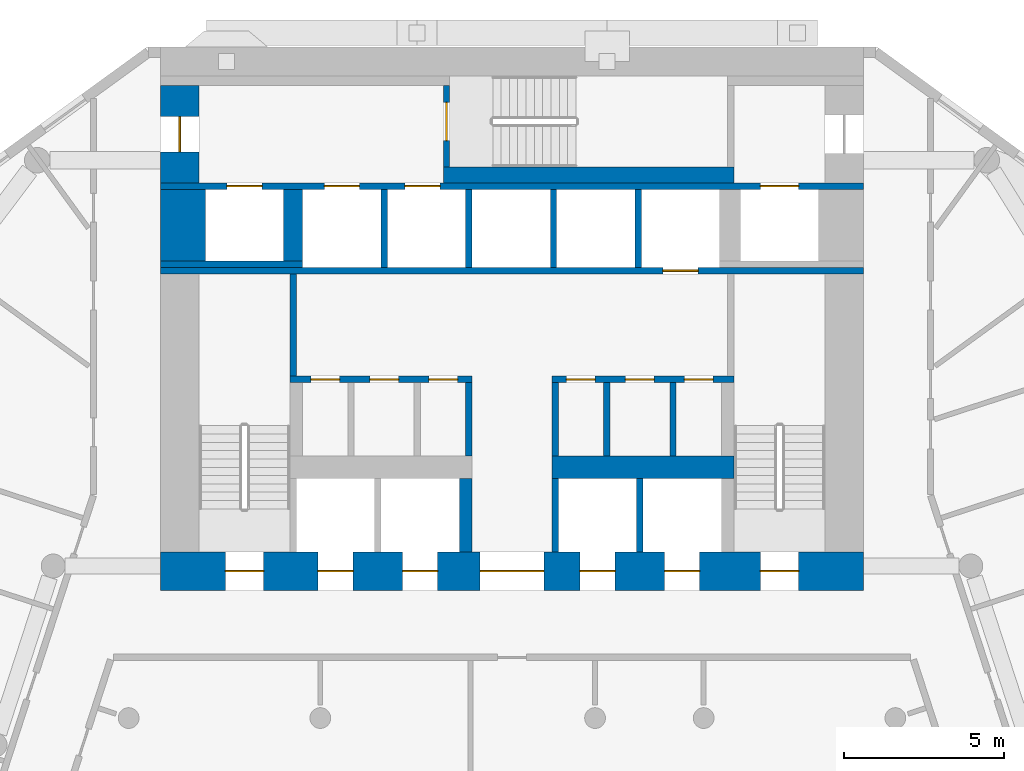
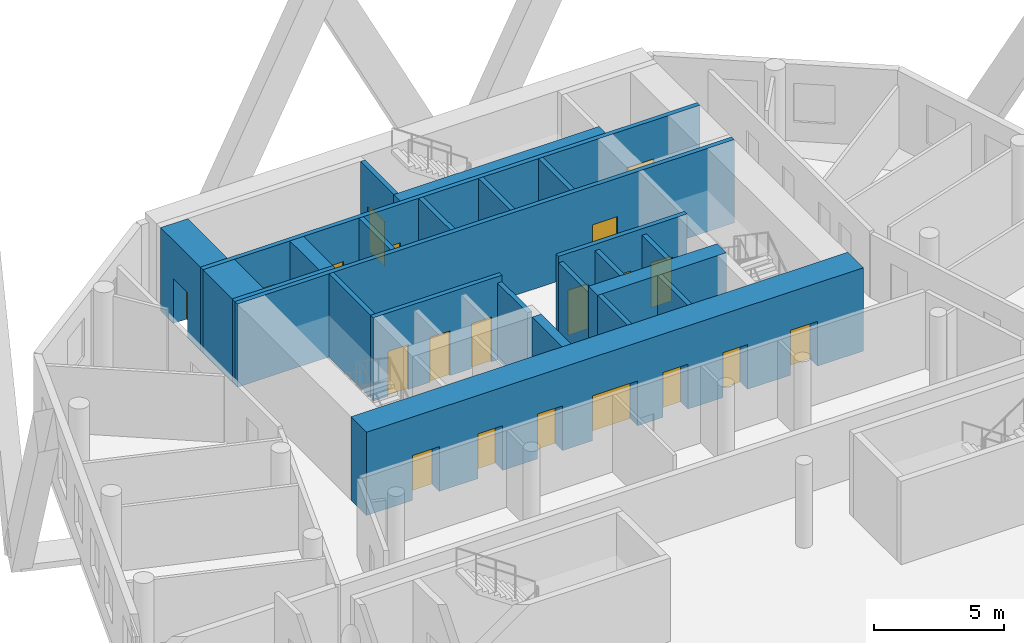
# One storey, part 6 of 10: 24 walls, 20 doors, 20 openings.
"""IFC4 building model written with IfcOpenShell, lengths in metres."""

from ifc_helpers import new_model, si_unit, direction, frame, frame_2d, origin, place, context, subcontext, project, spatial, rectangle, extrude, material, layer, layer_set, type_object, element, fill, save


model = new_model("IFC4")

# Units and contexts
model_context = context("Model", 3, precision=1e-05, world=origin(), true_north=direction((0.0, 1.0)))
body_context = subcontext(model_context, "Body", "Model", "MODEL_VIEW")
ifc_project = project(units=[si_unit("LENGTHUNIT", "METRE"), si_unit("AREAUNIT", "SQUARE_METRE"), si_unit("VOLUMEUNIT", "CUBIC_METRE"), si_unit("PLANEANGLEUNIT", "RADIAN"), si_unit("MASSUNIT", "GRAM", prefix="KILO")], contexts=[model_context])

# Site, building, storey
site_placement = place(None, origin())
site = spatial("IfcSite", under=ifc_project, at=site_placement, CompositionType="ELEMENT")
building_placement = place(site_placement, origin())
building = spatial("IfcBuilding", under=site, at=building_placement, Name="White Candle Pilgrim Tower", CompositionType="ELEMENT")
storey_placement = place(building_placement, frame((0.0, 0.0, 54.60009765625)))
storey = spatial("IfcBuildingStorey", under=building, at=storey_placement, Name="L10", CompositionType="ELEMENT", Elevation=54.60009765625)

# Wall, opening, door
ifc_material_1 = material(Name="Concrete C70/85", Category="concrete")
ifc_layer_1 = layer(ifc_material_1, 1.199951171875)
ifc_layer_set_1 = layer_set([ifc_layer_1], Name="Core wall 1200 mm Concrete C70/85")
wall_type_1 = type_object("IfcWallType", Name="Core wall 1200 mm Concrete C70/85", PredefinedType="SHEAR", material=ifc_layer_set_1)
wall_1_placement = place(storey_placement, frame((59.60009765625, 83.75, 0.0), z_axis=(0.0, 0.0, 1.0), x_axis=(0.0, 1.0, 0.0)))
wall_1 = element("IfcWall", 1, at=wall_1_placement, inside=storey, type_object=wall_type_1, Name="WL-L10-C46", PredefinedType="SHEAR", context=body_context, shape_type="SweptSolid", body=[
    extrude(rectangle(XDim=3.050048828125, YDim=1.199951171875, at=frame_2d((1.52490234375, 0.0))), origin(), (0.0, 0.0, 1.0), 3.89990234375),
])
opening_1_placement = place(wall_1_placement, frame((0.97509765625, 0.0, 0.0)))
opening_1 = element("IfcOpeningElement", 2, at=opening_1_placement, cuts=wall_1, Name="Opening T03-005", PredefinedType="OPENING", context=body_context, shape_type="SweptSolid", body=[
    extrude(rectangle(XDim=1.10009765625, YDim=2.10009765625, at=frame_2d((0.550048828125, 1.050048828125))), frame((0.0, 0.60986328125, 0.0), z_axis=(0.0, -1.0, 0.0), x_axis=(1.0, 0.0, 0.0)), (0.0, 0.0, 1.0), 1.219970703125),
])
ifc_material_2 = material(Name="Steel door leaf", Category="steel")
door_type_1 = type_object("IfcDoorType", Name="Fire door 1100 x 2100 EI 60", OperationType="NOTDEFINED", PredefinedType="DOOR", material=ifc_material_2)
door_1_placement = place(opening_1_placement, origin())
door_1 = element("IfcDoor", 3, at=door_1_placement, inside=storey, type_object=door_type_1, Name="Door T03-005", OperationType="SINGLE_SWING_LEFT", OverallHeight=2.10009765625, OverallWidth=1.10009765625, PredefinedType="DOOR", context=body_context, shape_type="SweptSolid", body=[
    extrude(rectangle(XDim=1.10009765625, YDim=2.10009765625, at=frame_2d((0.550048828125, 1.050048828125))), frame((0.0, 0.02490234375, 0.0), z_axis=(0.0, -1.0, 0.0), x_axis=(1.0, 0.0, 0.0)), (0.0, 0.0, 1.0), 0.050048828125),
])
fill(opening_1, door_1)

# Walls
ifc_layer_2 = layer(ifc_material_1, 1.39990234375)
ifc_layer_set_2 = layer_set([ifc_layer_2], Name="Core wall 1400 mm Concrete C70/85")
wall_type_2 = type_object("IfcWallType", Name="Core wall 1400 mm Concrete C70/85", PredefinedType="SHEAR", material=ifc_layer_set_2)
wall_2_placement = place(storey_placement, frame((59.699951171875, 81.300048828125, 0.0), z_axis=(0.0, 0.0, 1.0), x_axis=(0.0, 1.0, 0.0)))
element("IfcWall", 4, at=wall_2_placement, inside=storey, type_object=wall_type_2, Name="WL-L10-C41", PredefinedType="SHEAR", context=body_context, shape_type="SweptSolid", body=[
    extrude(rectangle(XDim=2.25, YDim=1.39990234375, at=frame_2d((1.125, 0.0))), origin(), (0.0, 0.0, 1.0), 3.89990234375),
])
ifc_layer_3 = layer(ifc_material_1, 0.199951171875)
ifc_layer_set_3 = layer_set([ifc_layer_3], Name="Core wall 200 mm Concrete C70/85")
wall_type_3 = type_object("IfcWallType", Name="Core wall 200 mm Concrete C70/85", PredefinedType="SHEAR", material=ifc_layer_set_3)
wall_3_placement = place(storey_placement, frame((59.0, 81.199951171875, 0.0), z_axis=(0.0, 0.0, 1.0), x_axis=(1.0, 0.0, 0.0)))
element("IfcWall", 5, at=wall_3_placement, inside=storey, type_object=wall_type_3, Name="WL-L10-C35", PredefinedType="SHEAR", context=body_context, shape_type="SweptSolid", body=[
    extrude(rectangle(XDim=4.449951171875, YDim=0.199951171875, at=frame_2d((2.22509765625, 0.0))), origin(), (0.0, 0.0, 1.0), 3.89990234375),
])

# Wall, openings, doors
wall_4_placement = place(storey_placement, frame((59.0, 83.64990234375, 0.0), z_axis=(0.0, 0.0, 1.0), x_axis=(1.0, 0.0, 0.0)))
wall_4 = element("IfcWall", 6, at=wall_4_placement, inside=storey, type_object=wall_type_3, Name="WL-L10-C45", PredefinedType="SHEAR", context=body_context, shape_type="SweptSolid", body=[
    extrude(rectangle(XDim=22.0, YDim=0.199951171875, at=frame_2d((11.0, 0.0))), origin(), (0.0, 0.0, 1.0), 3.89990234375),
])
opening_2_placement = place(wall_4_placement, frame((5.125, 0.0, 0.0)))
opening_2 = element("IfcOpeningElement", 7, at=opening_2_placement, cuts=wall_4, Name="Opening T03-011", PredefinedType="OPENING", context=body_context, shape_type="SweptSolid", body=[
    extrude(rectangle(XDim=1.10009765625, YDim=2.10009765625, at=frame_2d((0.550048828125, 1.050048828125))), frame((0.0, 0.10986328125, 0.0), z_axis=(0.0, -1.0, 0.0), x_axis=(1.0, 0.0, 0.0)), (0.0, 0.0, 1.0), 0.219970703125),
])
opening_3_placement = place(wall_4_placement, frame((7.64990234375, 0.0, 0.0)))
opening_3 = element("IfcOpeningElement", 8, at=opening_3_placement, cuts=wall_4, Name="Opening T03-012", PredefinedType="OPENING", context=body_context, shape_type="SweptSolid", body=[
    extrude(rectangle(XDim=1.10009765625, YDim=2.10009765625, at=frame_2d((0.550048828125, 1.050048828125))), frame((0.0, 0.10986328125, 0.0), z_axis=(0.0, -1.0, 0.0), x_axis=(1.0, 0.0, 0.0)), (0.0, 0.0, 1.0), 0.219970703125),
])
opening_4_placement = place(wall_4_placement, frame((18.77490234375, 0.0, 0.0)))
opening_4 = element("IfcOpeningElement", 9, at=opening_4_placement, cuts=wall_4, Name="Opening T03-018", PredefinedType="OPENING", context=body_context, shape_type="SweptSolid", body=[
    extrude(rectangle(XDim=1.199951171875, YDim=2.10009765625, at=frame_2d((0.60009765625, 1.050048828125))), frame((0.0, 0.10986328125, 0.0), z_axis=(0.0, -1.0, 0.0), x_axis=(1.0, 0.0, 0.0)), (0.0, 0.0, 1.0), 0.219970703125),
])
opening_5_placement = place(wall_4_placement, frame((2.074951171875, 0.0, 0.0)))
opening_5 = element("IfcOpeningElement", 10, at=opening_5_placement, cuts=wall_4, Name="Opening T03-019", PredefinedType="OPENING", context=body_context, shape_type="SweptSolid", body=[
    extrude(rectangle(XDim=1.10009765625, YDim=2.10009765625, at=frame_2d((0.550048828125, 1.050048828125))), frame((0.0, 0.10986328125, 0.0), z_axis=(0.0, -1.0, 0.0), x_axis=(1.0, 0.0, 0.0)), (0.0, 0.0, 1.0), 0.219970703125),
])
ifc_material_3 = material(Name="Stainless steel", Category="steel")
door_type_2 = type_object("IfcDoorType", Name="Lift landing door 1100 x 2100 EI 60", OperationType="DOUBLE_DOOR_SLIDING", PredefinedType="DOOR", material=ifc_material_3)
door_2_placement = place(opening_2_placement, origin())
door_2 = element("IfcDoor", 11, at=door_2_placement, inside=storey, type_object=door_type_2, Name="Door T03-011", OperationType="DOUBLE_DOOR_SLIDING", OverallHeight=2.10009765625, OverallWidth=1.10009765625, PredefinedType="DOOR", context=body_context, shape_type="SweptSolid", body=[
    extrude(rectangle(XDim=1.10009765625, YDim=2.10009765625, at=frame_2d((0.550048828125, 1.050048828125))), frame((0.0, 0.02490234375, 0.0), z_axis=(0.0, -1.0, 0.0), x_axis=(1.0, 0.0, 0.0)), (0.0, 0.0, 1.0), 0.050048828125),
])
fill(opening_2, door_2)
door_3_placement = place(opening_3_placement, origin())
door_3 = element("IfcDoor", 12, at=door_3_placement, inside=storey, type_object=door_type_2, Name="Door T03-012", OperationType="DOUBLE_DOOR_SLIDING", OverallHeight=2.10009765625, OverallWidth=1.10009765625, PredefinedType="DOOR", context=body_context, shape_type="SweptSolid", body=[
    extrude(rectangle(XDim=1.10009765625, YDim=2.10009765625, at=frame_2d((0.550048828125, 1.050048828125))), frame((0.0, 0.02490234375, 0.0), z_axis=(0.0, -1.0, 0.0), x_axis=(1.0, 0.0, 0.0)), (0.0, 0.0, 1.0), 0.050048828125),
])
fill(opening_3, door_3)
door_4_placement = place(opening_5_placement, origin())
door_4 = element("IfcDoor", 13, at=door_4_placement, inside=storey, type_object=door_type_2, Name="Door T03-019", OperationType="DOUBLE_DOOR_SLIDING", OverallHeight=2.10009765625, OverallWidth=1.10009765625, PredefinedType="DOOR", context=body_context, shape_type="SweptSolid", body=[
    extrude(rectangle(XDim=1.10009765625, YDim=2.10009765625, at=frame_2d((0.550048828125, 1.050048828125))), frame((0.0, 0.02490234375, 0.0), z_axis=(0.0, -1.0, 0.0), x_axis=(1.0, 0.0, 0.0)), (0.0, 0.0, 1.0), 0.050048828125),
])
fill(opening_5, door_4)
door_type_3 = type_object("IfcDoorType", Name="Lift landing door 1200 x 2100 E 60", OperationType="DOUBLE_DOOR_SLIDING", PredefinedType="DOOR", material=ifc_material_3)
door_5_placement = place(opening_4_placement, origin())
door_5 = element("IfcDoor", 14, at=door_5_placement, inside=storey, type_object=door_type_3, Name="Door T03-018", OperationType="DOUBLE_DOOR_SLIDING", OverallHeight=2.10009765625, OverallWidth=1.199951171875, PredefinedType="DOOR", context=body_context, shape_type="SweptSolid", body=[
    extrude(rectangle(XDim=1.199951171875, YDim=2.10009765625, at=frame_2d((0.60009765625, 1.050048828125))), frame((0.0, 0.02490234375, 0.0), z_axis=(0.0, -1.0, 0.0), x_axis=(1.0, 0.0, 0.0)), (0.0, 0.0, 1.0), 0.050048828125),
])
fill(opening_4, door_5)

# Walls
ifc_material_4 = material(Name="Gypsum board on steel studs", Category="steel")
ifc_layer_4 = layer(ifc_material_4, 0.199951171875)
ifc_layer_set_4 = layer_set([ifc_layer_4], Name="Lobby wall 200 mm EI 60")
wall_type_4 = type_object("IfcWallType", Name="Lobby wall 200 mm EI 60", PredefinedType="PARTITIONING", material=ifc_layer_set_4)
for number, where, z_axis, x_axis, name in (
    (15, (68.64990234375, 75.199951171875, 0.0), (0.0, 0.0, 1.0), (0.0, 1.0, 0.0), "WL-L10-C25"),
    (16, (71.35009765625, 75.199951171875, 0.0), (0.0, 0.0, 1.0), (0.0, 1.0, 0.0), "WL-L10-C26"),
    (17, (72.9599609375, 75.199951171875, 0.0), (0.0, 0.0, 1.0), (0.0, 1.0, 0.0), "WL-L10-C27"),
    (18, (75.0400390625, 75.199951171875, 0.0), (0.0, 0.0, 1.0), (0.0, 1.0, 0.0), "WL-L10-C28"),
):
    element("IfcWall", number, at=place(storey_placement, frame(where, z_axis=z_axis, x_axis=x_axis)), inside=storey, type_object=wall_type_4, Name=name, PredefinedType="PARTITIONING", context=body_context, shape_type="SweptSolid", body=[
        extrude(rectangle(XDim=2.300048828125, YDim=0.199951171875, at=frame_2d((1.14990234375, 0.0))), origin(), (0.0, 0.0, 1.0), 3.599853515625),
    ])
ifc_layer_5 = layer(ifc_material_1, 0.199951171875)
ifc_layer_set_5 = layer_set([ifc_layer_5], Name="Shaft wall 200 mm Concrete C70/85")
wall_type_5 = type_object("IfcWallType", Name="Shaft wall 200 mm Concrete C70/85", PredefinedType="SHEAR", material=ifc_layer_set_5)
for number, where, z_axis, x_axis, name in (
    (19, (71.35009765625, 72.199951171875, 0.0), (0.0, 0.0, 1.0), (0.0, 1.0, 0.0), "WL-L10-C16"),
    (20, (74.0, 72.199951171875, 0.0), (0.0, 0.0, 1.0), (0.0, 1.0, 0.0), "WL-L10-C17"),
):
    element("IfcWall", number, at=place(storey_placement, frame(where, z_axis=z_axis, x_axis=x_axis)), inside=storey, type_object=wall_type_5, Name=name, PredefinedType="SHEAR", context=body_context, shape_type="SweptSolid", body=[
        extrude(rectangle(XDim=2.300048828125, YDim=0.199951171875, at=frame_2d((1.14990234375, 0.0))), origin(), (0.0, 0.0, 1.0), 3.89990234375),
    ])
for number, where, z_axis, x_axis, name in (
    (21, (66.0, 81.10009765625, 0.0), (0.0, 0.0, 1.0), (0.0, 1.0, 0.0), "WL-L10-C36"),
    (22, (68.64990234375, 81.10009765625, 0.0), (0.0, 0.0, 1.0), (0.0, 1.0, 0.0), "WL-L10-C37"),
    (23, (71.300048828125, 81.10009765625, 0.0), (0.0, 0.0, 1.0), (0.0, 1.0, 0.0), "WL-L10-C38"),
    (24, (73.949951171875, 81.10009765625, 0.0), (0.0, 0.0, 1.0), (0.0, 1.0, 0.0), "WL-L10-C39"),
):
    element("IfcWall", number, at=place(storey_placement, frame(where, z_axis=z_axis, x_axis=x_axis)), inside=storey, type_object=wall_type_5, Name=name, PredefinedType="SHEAR", context=body_context, shape_type="SweptSolid", body=[
        extrude(rectangle(XDim=2.449951171875, YDim=0.199951171875, at=frame_2d((1.22509765625, 0.0))), origin(), (0.0, 0.0, 1.0), 3.89990234375),
    ])
ifc_layer_6 = layer(ifc_material_1, 0.39990234375)
ifc_layer_set_6 = layer_set([ifc_layer_6], Name="Shaft wall 400 mm Concrete C70/85")
wall_type_6 = type_object("IfcWallType", Name="Shaft wall 400 mm Concrete C70/85", PredefinedType="SHEAR", material=ifc_layer_set_6)
wall_5_placement = place(storey_placement, frame((68.550048828125, 72.199951171875, 0.0), z_axis=(0.0, 0.0, 1.0), x_axis=(0.0, 1.0, 0.0)))
element("IfcWall", 25, at=wall_5_placement, inside=storey, type_object=wall_type_6, Name="WL-L10-C15", PredefinedType="SHEAR", context=body_context, shape_type="SweptSolid", body=[
    extrude(rectangle(XDim=2.300048828125, YDim=0.39990234375, at=frame_2d((1.14990234375, 0.0))), origin(), (0.0, 0.0, 1.0), 3.89990234375),
])
ifc_layer_7 = layer(ifc_material_1, 0.60009765625)
ifc_layer_set_7 = layer_set([ifc_layer_7], Name="Shaft wall 600 mm Concrete C70/85")
wall_type_7 = type_object("IfcWallType", Name="Shaft wall 600 mm Concrete C70/85", PredefinedType="SHEAR", material=ifc_layer_set_7)
wall_6_placement = place(storey_placement, frame((63.14990234375, 81.300048828125, 0.0), z_axis=(0.0, 0.0, 1.0), x_axis=(0.0, 1.0, 0.0)))
element("IfcWall", 26, at=wall_6_placement, inside=storey, type_object=wall_type_7, Name="WL-L10-C42", PredefinedType="SHEAR", context=body_context, shape_type="SweptSolid", body=[
    extrude(rectangle(XDim=2.25, YDim=0.60009765625, at=frame_2d((1.125, 0.0))), origin(), (0.0, 0.0, 1.0), 3.89990234375),
])

# Wall, openings, doors
ifc_layer_8 = layer(ifc_material_1, 1.199951171875)
ifc_layer_set_8 = layer_set([ifc_layer_8], Name="Stair shaft wall 1200 mm Concrete C70/85")
wall_type_8 = type_object("IfcWallType", Name="Stair shaft wall 1200 mm Concrete C70/85", PredefinedType="SHEAR", material=ifc_layer_set_8)
wall_7_placement = place(storey_placement, frame((59.0, 71.60009765625, 0.0), z_axis=(0.0, 0.0, 1.0), x_axis=(1.0, 0.0, 0.0)))
wall_7 = element("IfcWall", 27, at=wall_7_placement, inside=storey, type_object=wall_type_8, Name="WL-L10-C11", PredefinedType="SHEAR", context=body_context, shape_type="SweptSolid", body=[
    extrude(rectangle(XDim=22.0, YDim=1.199951171875, at=frame_2d((11.0, 0.0))), origin(), (0.0, 0.0, 1.0), 3.89990234375),
])
opening_6_placement = place(wall_7_placement, frame((2.02490234375, 0.0, 0.0)))
opening_6 = element("IfcOpeningElement", 28, at=opening_6_placement, cuts=wall_7, Name="Opening T03-001", PredefinedType="OPENING", context=body_context, shape_type="SweptSolid", body=[
    extrude(rectangle(XDim=1.199951171875, YDim=2.10009765625, at=frame_2d((0.60009765625, 1.050048828125))), frame((0.0, 0.60986328125, 0.0), z_axis=(0.0, -1.0, 0.0), x_axis=(1.0, 0.0, 0.0)), (0.0, 0.0, 1.0), 1.219970703125),
])
opening_7_placement = place(wall_7_placement, frame((18.77490234375, 0.0, 0.0)))
opening_7 = element("IfcOpeningElement", 29, at=opening_7_placement, cuts=wall_7, Name="Opening T03-002", PredefinedType="OPENING", context=body_context, shape_type="SweptSolid", body=[
    extrude(rectangle(XDim=1.199951171875, YDim=2.10009765625, at=frame_2d((0.60009765625, 1.050048828125))), frame((0.0, 0.60986328125, 0.0), z_axis=(0.0, -1.0, 0.0), x_axis=(1.0, 0.0, 0.0)), (0.0, 0.0, 1.0), 1.219970703125),
])
opening_8_placement = place(wall_7_placement, frame((10.0, 0.0, 0.0)))
opening_8 = element("IfcOpeningElement", 30, at=opening_8_placement, cuts=wall_7, Name="Opening T03-004", PredefinedType="OPENING", context=body_context, shape_type="SweptSolid", body=[
    extrude(rectangle(XDim=2.0, YDim=2.10009765625, at=frame_2d((1.0, 1.050048828125))), frame((0.0, 0.60986328125, 0.0), z_axis=(0.0, -1.0, 0.0), x_axis=(1.0, 0.0, 0.0)), (0.0, 0.0, 1.0), 1.219970703125),
])
opening_9_placement = place(wall_7_placement, frame((4.925048828125, 0.0, 0.0)))
opening_9 = element("IfcOpeningElement", 31, at=opening_9_placement, cuts=wall_7, Name="Opening T03-014", PredefinedType="OPENING", context=body_context, shape_type="SweptSolid", body=[
    extrude(rectangle(XDim=1.10009765625, YDim=2.10009765625, at=frame_2d((0.550048828125, 1.050048828125))), frame((0.0, 0.60986328125, 0.0), z_axis=(0.0, -1.0, 0.0), x_axis=(1.0, 0.0, 0.0)), (0.0, 0.0, 1.0), 1.219970703125),
])
opening_10_placement = place(wall_7_placement, frame((7.574951171875, 0.0, 0.0)))
opening_10 = element("IfcOpeningElement", 32, at=opening_10_placement, cuts=wall_7, Name="Opening T03-015", PredefinedType="OPENING", context=body_context, shape_type="SweptSolid", body=[
    extrude(rectangle(XDim=1.10009765625, YDim=2.10009765625, at=frame_2d((0.550048828125, 1.050048828125))), frame((0.0, 0.60986328125, 0.0), z_axis=(0.0, -1.0, 0.0), x_axis=(1.0, 0.0, 0.0)), (0.0, 0.0, 1.0), 1.219970703125),
])
opening_11_placement = place(wall_7_placement, frame((13.125, 0.0, 0.0)))
opening_11 = element("IfcOpeningElement", 33, at=opening_11_placement, cuts=wall_7, Name="Opening T03-016", PredefinedType="OPENING", context=body_context, shape_type="SweptSolid", body=[
    extrude(rectangle(XDim=1.10009765625, YDim=2.10009765625, at=frame_2d((0.550048828125, 1.050048828125))), frame((0.0, 0.60986328125, 0.0), z_axis=(0.0, -1.0, 0.0), x_axis=(1.0, 0.0, 0.0)), (0.0, 0.0, 1.0), 1.219970703125),
])
opening_12_placement = place(wall_7_placement, frame((15.77490234375, 0.0, 0.0)))
opening_12 = element("IfcOpeningElement", 34, at=opening_12_placement, cuts=wall_7, Name="Opening T03-017", PredefinedType="OPENING", context=body_context, shape_type="SweptSolid", body=[
    extrude(rectangle(XDim=1.10009765625, YDim=2.10009765625, at=frame_2d((0.550048828125, 1.050048828125))), frame((0.0, 0.60986328125, 0.0), z_axis=(0.0, -1.0, 0.0), x_axis=(1.0, 0.0, 0.0)), (0.0, 0.0, 1.0), 1.219970703125),
])
door_type_4 = type_object("IfcDoorType", Name="Fire door 1200 x 2100 EI 60", OperationType="NOTDEFINED", PredefinedType="DOOR", material=ifc_material_2)
door_6_placement = place(opening_6_placement, frame((1.199951171875, 0.0, 0.0), z_axis=(0.0, 0.0, 1.0), x_axis=(-1.0, 0.0, 0.0)))
door_6 = element("IfcDoor", 35, at=door_6_placement, inside=storey, type_object=door_type_4, Name="Door T03-001", OperationType="SINGLE_SWING_RIGHT", OverallHeight=2.10009765625, OverallWidth=1.199951171875, PredefinedType="DOOR", context=body_context, shape_type="SweptSolid", body=[
    extrude(rectangle(XDim=1.199951171875, YDim=2.10009765625, at=frame_2d((0.60009765625, 1.050048828125))), frame((0.0, 0.02490234375, 0.0), z_axis=(0.0, -1.0, 0.0), x_axis=(1.0, 0.0, 0.0)), (0.0, 0.0, 1.0), 0.050048828125),
])
fill(opening_6, door_6)
door_7_placement = place(opening_7_placement, frame((1.199951171875, 0.0, 0.0), z_axis=(0.0, 0.0, 1.0), x_axis=(-1.0, 0.0, 0.0)))
door_7 = element("IfcDoor", 36, at=door_7_placement, inside=storey, type_object=door_type_4, Name="Door T03-002", OperationType="SINGLE_SWING_LEFT", OverallHeight=2.10009765625, OverallWidth=1.199951171875, PredefinedType="DOOR", context=body_context, shape_type="SweptSolid", body=[
    extrude(rectangle(XDim=1.199951171875, YDim=2.10009765625, at=frame_2d((0.60009765625, 1.050048828125))), frame((0.0, 0.02490234375, 0.0), z_axis=(0.0, -1.0, 0.0), x_axis=(1.0, 0.0, 0.0)), (0.0, 0.0, 1.0), 0.050048828125),
])
fill(opening_7, door_7)
door_type_5 = type_object("IfcDoorType", Name="Fire door 2000 x 2100 EI 60", OperationType="NOTDEFINED", PredefinedType="DOOR", material=ifc_material_2)
door_8_placement = place(opening_8_placement, frame((2.0, 0.0, 0.0), z_axis=(0.0, 0.0, 1.0), x_axis=(-1.0, 0.0, 0.0)))
door_8 = element("IfcDoor", 37, at=door_8_placement, inside=storey, type_object=door_type_5, Name="Door T03-004", OperationType="DOUBLE_DOOR_SINGLE_SWING", OverallHeight=2.10009765625, OverallWidth=2.0, PredefinedType="DOOR", context=body_context, shape_type="SweptSolid", body=[
    extrude(rectangle(XDim=2.0, YDim=2.10009765625, at=frame_2d((1.0, 1.050048828125))), frame((0.0, 0.02490234375, 0.0), z_axis=(0.0, -1.0, 0.0), x_axis=(1.0, 0.0, 0.0)), (0.0, 0.0, 1.0), 0.050048828125),
])
fill(opening_8, door_8)
door_type_6 = type_object("IfcDoorType", Name="Lift landing door 1100 x 2100 E 60", OperationType="DOUBLE_DOOR_SLIDING", PredefinedType="DOOR", material=ifc_material_3)
door_9_placement = place(opening_9_placement, origin())
door_9 = element("IfcDoor", 38, at=door_9_placement, inside=storey, type_object=door_type_6, Name="Door T03-014", OperationType="DOUBLE_DOOR_SLIDING", OverallHeight=2.10009765625, OverallWidth=1.10009765625, PredefinedType="DOOR", context=body_context, shape_type="SweptSolid", body=[
    extrude(rectangle(XDim=1.10009765625, YDim=2.10009765625, at=frame_2d((0.550048828125, 1.050048828125))), frame((0.0, 0.02490234375, 0.0), z_axis=(0.0, -1.0, 0.0), x_axis=(1.0, 0.0, 0.0)), (0.0, 0.0, 1.0), 0.050048828125),
])
fill(opening_9, door_9)
door_10_placement = place(opening_10_placement, origin())
door_10 = element("IfcDoor", 39, at=door_10_placement, inside=storey, type_object=door_type_6, Name="Door T03-015", OperationType="DOUBLE_DOOR_SLIDING", OverallHeight=2.10009765625, OverallWidth=1.10009765625, PredefinedType="DOOR", context=body_context, shape_type="SweptSolid", body=[
    extrude(rectangle(XDim=1.10009765625, YDim=2.10009765625, at=frame_2d((0.550048828125, 1.050048828125))), frame((0.0, 0.02490234375, 0.0), z_axis=(0.0, -1.0, 0.0), x_axis=(1.0, 0.0, 0.0)), (0.0, 0.0, 1.0), 0.050048828125),
])
fill(opening_10, door_10)
door_11_placement = place(opening_11_placement, origin())
door_11 = element("IfcDoor", 40, at=door_11_placement, inside=storey, type_object=door_type_6, Name="Door T03-016", OperationType="DOUBLE_DOOR_SLIDING", OverallHeight=2.10009765625, OverallWidth=1.10009765625, PredefinedType="DOOR", context=body_context, shape_type="SweptSolid", body=[
    extrude(rectangle(XDim=1.10009765625, YDim=2.10009765625, at=frame_2d((0.550048828125, 1.050048828125))), frame((0.0, 0.02490234375, 0.0), z_axis=(0.0, -1.0, 0.0), x_axis=(1.0, 0.0, 0.0)), (0.0, 0.0, 1.0), 0.050048828125),
])
fill(opening_11, door_11)
door_12_placement = place(opening_12_placement, origin())
door_12 = element("IfcDoor", 41, at=door_12_placement, inside=storey, type_object=door_type_6, Name="Door T03-017", OperationType="DOUBLE_DOOR_SLIDING", OverallHeight=2.10009765625, OverallWidth=1.10009765625, PredefinedType="DOOR", context=body_context, shape_type="SweptSolid", body=[
    extrude(rectangle(XDim=1.10009765625, YDim=2.10009765625, at=frame_2d((0.550048828125, 1.050048828125))), frame((0.0, 0.02490234375, 0.0), z_axis=(0.0, -1.0, 0.0), x_axis=(1.0, 0.0, 0.0)), (0.0, 0.0, 1.0), 0.050048828125),
])
fill(opening_12, door_12)

ifc_layer_9 = layer(ifc_material_1, 0.199951171875)
ifc_layer_set_9 = layer_set([ifc_layer_9], Name="Stair shaft wall 200 mm Concrete C70/85")
wall_type_9 = type_object("IfcWallType", Name="Stair shaft wall 200 mm Concrete C70/85", PredefinedType="SHEAR", material=ifc_layer_set_9)
wall_8_placement = place(storey_placement, frame((63.050048828125, 77.60009765625, 0.0), z_axis=(0.0, 0.0, 1.0), x_axis=(1.0, 0.0, 0.0)))
wall_8 = element("IfcWall", 42, at=wall_8_placement, inside=storey, type_object=wall_type_9, Name="WL-L10-C30", PredefinedType="SHEAR", context=body_context, shape_type="SweptSolid", body=[
    extrude(rectangle(XDim=5.699951171875, YDim=0.199951171875, at=frame_2d((2.85009765625, 0.0))), origin(), (0.0, 0.0, 1.0), 3.89990234375),
])
opening_13_placement = place(wall_8_placement, frame((0.655029296875, 0.0, 0.0)))
opening_13 = element("IfcOpeningElement", 43, at=opening_13_placement, cuts=wall_8, Name="Opening T03-020", PredefinedType="OPENING", context=body_context, shape_type="SweptSolid", body=[
    extrude(rectangle(XDim=0.89990234375, YDim=2.10009765625, at=frame_2d((0.449951171875, 1.050048828125))), frame((0.0, 0.10986328125, 0.0), z_axis=(0.0, -1.0, 0.0), x_axis=(1.0, 0.0, 0.0)), (0.0, 0.0, 1.0), 0.219970703125),
])
opening_14_placement = place(wall_8_placement, frame((2.5, 0.0, 0.0)))
opening_14 = element("IfcOpeningElement", 44, at=opening_14_placement, cuts=wall_8, Name="Opening T03-021", PredefinedType="OPENING", context=body_context, shape_type="SweptSolid", body=[
    extrude(rectangle(XDim=0.89990234375, YDim=2.10009765625, at=frame_2d((0.449951171875, 1.050048828125))), frame((0.0, 0.10986328125, 0.0), z_axis=(0.0, -1.0, 0.0), x_axis=(1.0, 0.0, 0.0)), (0.0, 0.0, 1.0), 0.219970703125),
])
opening_15_placement = place(wall_8_placement, frame((4.344970703125, 0.0, 0.0)))
opening_15 = element("IfcOpeningElement", 45, at=opening_15_placement, cuts=wall_8, Name="Opening T03-022", PredefinedType="OPENING", context=body_context, shape_type="SweptSolid", body=[
    extrude(rectangle(XDim=0.89990234375, YDim=2.10009765625, at=frame_2d((0.449951171875, 1.050048828125))), frame((0.0, 0.10986328125, 0.0), z_axis=(0.0, -1.0, 0.0), x_axis=(1.0, 0.0, 0.0)), (0.0, 0.0, 1.0), 0.219970703125),
])
door_type_7 = type_object("IfcDoorType", Name="Fire door 900 x 2100 EI 30", OperationType="NOTDEFINED", PredefinedType="DOOR", material=ifc_material_2)
door_13_placement = place(opening_13_placement, origin())
door_13 = element("IfcDoor", 46, at=door_13_placement, inside=storey, type_object=door_type_7, Name="Door T03-020", OperationType="SINGLE_SWING_RIGHT", OverallHeight=2.10009765625, OverallWidth=0.89990234375, PredefinedType="DOOR", context=body_context, shape_type="SweptSolid", body=[
    extrude(rectangle(XDim=0.89990234375, YDim=2.10009765625, at=frame_2d((0.449951171875, 1.050048828125))), frame((0.0, 0.02490234375, 0.0), z_axis=(0.0, -1.0, 0.0), x_axis=(1.0, 0.0, 0.0)), (0.0, 0.0, 1.0), 0.050048828125),
])
fill(opening_13, door_13)
door_14_placement = place(opening_14_placement, origin())
door_14 = element("IfcDoor", 47, at=door_14_placement, inside=storey, type_object=door_type_7, Name="Door T03-021", OperationType="SINGLE_SWING_LEFT", OverallHeight=2.10009765625, OverallWidth=0.89990234375, PredefinedType="DOOR", context=body_context, shape_type="SweptSolid", body=[
    extrude(rectangle(XDim=0.89990234375, YDim=2.10009765625, at=frame_2d((0.449951171875, 1.050048828125))), frame((0.0, 0.02490234375, 0.0), z_axis=(0.0, -1.0, 0.0), x_axis=(1.0, 0.0, 0.0)), (0.0, 0.0, 1.0), 0.050048828125),
])
fill(opening_14, door_14)
door_15_placement = place(opening_15_placement, origin())
door_15 = element("IfcDoor", 48, at=door_15_placement, inside=storey, type_object=door_type_7, Name="Door T03-022", OperationType="SINGLE_SWING_RIGHT", OverallHeight=2.10009765625, OverallWidth=0.89990234375, PredefinedType="DOOR", context=body_context, shape_type="SweptSolid", body=[
    extrude(rectangle(XDim=0.89990234375, YDim=2.10009765625, at=frame_2d((0.449951171875, 1.050048828125))), frame((0.0, 0.02490234375, 0.0), z_axis=(0.0, -1.0, 0.0), x_axis=(1.0, 0.0, 0.0)), (0.0, 0.0, 1.0), 0.050048828125),
])
fill(opening_15, door_15)

wall_9_placement = place(storey_placement, frame((71.25, 77.60009765625, 0.0), z_axis=(0.0, 0.0, 1.0), x_axis=(1.0, 0.0, 0.0)))
wall_9 = element("IfcWall", 49, at=wall_9_placement, inside=storey, type_object=wall_type_9, Name="WL-L10-C31", PredefinedType="SHEAR", context=body_context, shape_type="SweptSolid", body=[
    extrude(rectangle(XDim=5.699951171875, YDim=0.199951171875, at=frame_2d((2.85009765625, 0.0))), origin(), (0.0, 0.0, 1.0), 3.89990234375),
])
opening_16_placement = place(wall_9_placement, frame((0.455078125, 0.0, 0.0)))
opening_16 = element("IfcOpeningElement", 50, at=opening_16_placement, cuts=wall_9, Name="Opening T03-023", PredefinedType="OPENING", context=body_context, shape_type="SweptSolid", body=[
    extrude(rectangle(XDim=0.89990234375, YDim=2.10009765625, at=frame_2d((0.449951171875, 1.050048828125))), frame((0.0, 0.10986328125, 0.0), z_axis=(0.0, -1.0, 0.0), x_axis=(1.0, 0.0, 0.0)), (0.0, 0.0, 1.0), 0.219970703125),
])
opening_17_placement = place(wall_9_placement, frame((2.300048828125, 0.0, 0.0)))
opening_17 = element("IfcOpeningElement", 51, at=opening_17_placement, cuts=wall_9, Name="Opening T03-024", PredefinedType="OPENING", context=body_context, shape_type="SweptSolid", body=[
    extrude(rectangle(XDim=0.89990234375, YDim=2.10009765625, at=frame_2d((0.449951171875, 1.050048828125))), frame((0.0, 0.10986328125, 0.0), z_axis=(0.0, -1.0, 0.0), x_axis=(1.0, 0.0, 0.0)), (0.0, 0.0, 1.0), 0.219970703125),
])
opening_18_placement = place(wall_9_placement, frame((4.14501953125, 0.0, 0.0)))
opening_18 = element("IfcOpeningElement", 52, at=opening_18_placement, cuts=wall_9, Name="Opening T03-025", PredefinedType="OPENING", context=body_context, shape_type="SweptSolid", body=[
    extrude(rectangle(XDim=0.89990234375, YDim=2.10009765625, at=frame_2d((0.449951171875, 1.050048828125))), frame((0.0, 0.10986328125, 0.0), z_axis=(0.0, -1.0, 0.0), x_axis=(1.0, 0.0, 0.0)), (0.0, 0.0, 1.0), 0.219970703125),
])
door_16_placement = place(opening_16_placement, origin())
door_16 = element("IfcDoor", 53, at=door_16_placement, inside=storey, type_object=door_type_7, Name="Door T03-023", OperationType="SINGLE_SWING_LEFT", OverallHeight=2.10009765625, OverallWidth=0.89990234375, PredefinedType="DOOR", context=body_context, shape_type="SweptSolid", body=[
    extrude(rectangle(XDim=0.89990234375, YDim=2.10009765625, at=frame_2d((0.449951171875, 1.050048828125))), frame((0.0, 0.02490234375, 0.0), z_axis=(0.0, -1.0, 0.0), x_axis=(1.0, 0.0, 0.0)), (0.0, 0.0, 1.0), 0.050048828125),
])
fill(opening_16, door_16)
door_17_placement = place(opening_17_placement, origin())
door_17 = element("IfcDoor", 54, at=door_17_placement, inside=storey, type_object=door_type_7, Name="Door T03-024", OperationType="SINGLE_SWING_RIGHT", OverallHeight=2.10009765625, OverallWidth=0.89990234375, PredefinedType="DOOR", context=body_context, shape_type="SweptSolid", body=[
    extrude(rectangle(XDim=0.89990234375, YDim=2.10009765625, at=frame_2d((0.449951171875, 1.050048828125))), frame((0.0, 0.02490234375, 0.0), z_axis=(0.0, -1.0, 0.0), x_axis=(1.0, 0.0, 0.0)), (0.0, 0.0, 1.0), 0.050048828125),
])
fill(opening_17, door_17)
door_18_placement = place(opening_18_placement, origin())
door_18 = element("IfcDoor", 55, at=door_18_placement, inside=storey, type_object=door_type_7, Name="Door T03-025", OperationType="SINGLE_SWING_LEFT", OverallHeight=2.10009765625, OverallWidth=0.89990234375, PredefinedType="DOOR", context=body_context, shape_type="SweptSolid", body=[
    extrude(rectangle(XDim=0.89990234375, YDim=2.10009765625, at=frame_2d((0.449951171875, 1.050048828125))), frame((0.0, 0.02490234375, 0.0), z_axis=(0.0, -1.0, 0.0), x_axis=(1.0, 0.0, 0.0)), (0.0, 0.0, 1.0), 0.050048828125),
])
fill(opening_18, door_18)

# Wall
wall_10_placement = place(storey_placement, frame((63.14990234375, 77.699951171875, 0.0), z_axis=(0.0, 0.0, 1.0), x_axis=(0.0, 1.0, 0.0)))
element("IfcWall", 56, at=wall_10_placement, inside=storey, type_object=wall_type_9, Name="WL-L10-C32", PredefinedType="SHEAR", context=body_context, shape_type="SweptSolid", body=[
    extrude(rectangle(XDim=3.199951171875, YDim=0.199951171875, at=frame_2d((1.60009765625, 0.0))), origin(), (0.0, 0.0, 1.0), 3.89990234375),
])

# Wall, opening, door
wall_11_placement = place(storey_placement, frame((59.0, 81.0, 0.0), z_axis=(0.0, 0.0, 1.0), x_axis=(1.0, 0.0, 0.0)))
wall_11 = element("IfcWall", 57, at=wall_11_placement, inside=storey, type_object=wall_type_9, Name="WL-L10-C34", PredefinedType="SHEAR", context=body_context, shape_type="SweptSolid", body=[
    extrude(rectangle(XDim=22.0, YDim=0.199951171875, at=frame_2d((11.0, 0.0))), origin(), (0.0, 0.0, 1.0), 3.89990234375),
])
opening_19_placement = place(wall_11_placement, frame((15.72509765625, 0.0, 0.0)))
opening_19 = element("IfcOpeningElement", 58, at=opening_19_placement, cuts=wall_11, Name="Opening T03-013", PredefinedType="OPENING", context=body_context, shape_type="SweptSolid", body=[
    extrude(rectangle(XDim=1.10009765625, YDim=2.10009765625, at=frame_2d((0.550048828125, 1.050048828125))), frame((0.0, 0.10986328125, 0.0), z_axis=(0.0, -1.0, 0.0), x_axis=(1.0, 0.0, 0.0)), (0.0, 0.0, 1.0), 0.219970703125),
])
door_19_placement = place(opening_19_placement, origin())
door_19 = element("IfcDoor", 59, at=door_19_placement, inside=storey, type_object=door_type_6, Name="Door T03-013", OperationType="DOUBLE_DOOR_SLIDING", OverallHeight=2.10009765625, OverallWidth=1.10009765625, PredefinedType="DOOR", context=body_context, shape_type="SweptSolid", body=[
    extrude(rectangle(XDim=1.10009765625, YDim=2.10009765625, at=frame_2d((0.550048828125, 1.050048828125))), frame((0.0, 0.02490234375, 0.0), z_axis=(0.0, -1.0, 0.0), x_axis=(1.0, 0.0, 0.0)), (0.0, 0.0, 1.0), 0.050048828125),
])
fill(opening_19, door_19)

wall_12_placement = place(storey_placement, frame((67.949951171875, 84.25, 0.0), z_axis=(0.0, 0.0, 1.0), x_axis=(0.0, 1.0, 0.0)))
wall_12 = element("IfcWall", 60, at=wall_12_placement, inside=storey, type_object=wall_type_9, Name="WL-L10-C49", PredefinedType="SHEAR", context=body_context, shape_type="SweptSolid", body=[
    extrude(rectangle(XDim=2.550048828125, YDim=0.199951171875, at=frame_2d((1.27490234375, 0.0))), origin(), (0.0, 0.0, 1.0), 3.89990234375),
])
opening_20_placement = place(wall_12_placement, frame((0.824951171875, 0.0, 0.0)))
opening_20 = element("IfcOpeningElement", 61, at=opening_20_placement, cuts=wall_12, Name="Opening T03-003", PredefinedType="OPENING", context=body_context, shape_type="SweptSolid", body=[
    extrude(rectangle(XDim=1.199951171875, YDim=2.10009765625, at=frame_2d((0.60009765625, 1.050048828125))), frame((0.0, 0.10986328125, 0.0), z_axis=(0.0, -1.0, 0.0), x_axis=(1.0, 0.0, 0.0)), (0.0, 0.0, 1.0), 0.219970703125),
])
door_20_placement = place(opening_20_placement, frame((1.199951171875, 0.0, 0.0), z_axis=(0.0, 0.0, 1.0), x_axis=(-1.0, 0.0, 0.0)))
door_20 = element("IfcDoor", 62, at=door_20_placement, inside=storey, type_object=door_type_4, Name="Door T03-003", OperationType="SINGLE_SWING_RIGHT", OverallHeight=2.10009765625, OverallWidth=1.199951171875, PredefinedType="DOOR", context=body_context, shape_type="SweptSolid", body=[
    extrude(rectangle(XDim=1.199951171875, YDim=2.10009765625, at=frame_2d((0.60009765625, 1.050048828125))), frame((0.0, 0.02490234375, 0.0), z_axis=(0.0, -1.0, 0.0), x_axis=(1.0, 0.0, 0.0)), (0.0, 0.0, 1.0), 0.050048828125),
])
fill(opening_20, door_20)

# Walls
ifc_layer_10 = layer(ifc_material_1, 0.5)
ifc_layer_set_10 = layer_set([ifc_layer_10], Name="Stair shaft wall 500 mm Concrete C70/85")
wall_type_10 = type_object("IfcWallType", Name="Stair shaft wall 500 mm Concrete C70/85", PredefinedType="SHEAR", material=ifc_layer_set_10)
wall_13_placement = place(storey_placement, frame((67.85009765625, 84.0, 0.0), z_axis=(0.0, 0.0, 1.0), x_axis=(1.0, 0.0, 0.0)))
element("IfcWall", 63, at=wall_13_placement, inside=storey, type_object=wall_type_10, Name="WL-L10-C47", PredefinedType="SHEAR", context=body_context, shape_type="SweptSolid", body=[
    extrude(rectangle(XDim=9.099853515625, YDim=0.5, at=frame_2d((4.5498046875, 0.0))), origin(), (0.0, 0.0, 1.0), 3.89990234375),
])
ifc_layer_11 = layer(ifc_material_1, 0.699951171875)
ifc_layer_set_11 = layer_set([ifc_layer_11], Name="Stair shaft wall 700 mm Concrete C70/85")
wall_type_11 = type_object("IfcWallType", Name="Stair shaft wall 700 mm Concrete C70/85", PredefinedType="SHEAR", material=ifc_layer_set_11)
wall_14_placement = place(storey_placement, frame((71.25, 74.85009765625, 0.0), z_axis=(0.0, 0.0, 1.0), x_axis=(1.0, 0.0, 0.0)))
element("IfcWall", 64, at=wall_14_placement, inside=storey, type_object=wall_type_11, Name="WL-L10-C21", PredefinedType="SHEAR", context=body_context, shape_type="SweptSolid", body=[
    extrude(rectangle(XDim=5.699951171875, YDim=0.699951171875, at=frame_2d((2.85009765625, 0.0))), origin(), (0.0, 0.0, 1.0), 3.89990234375),
])

save(model, "model.ifc")
